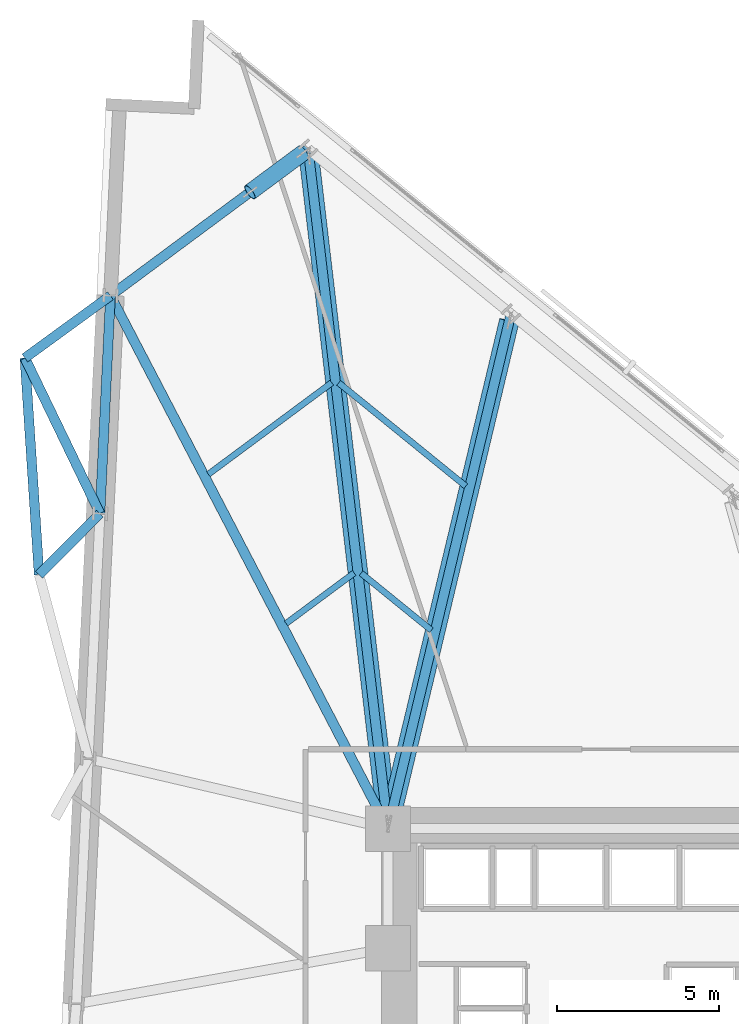
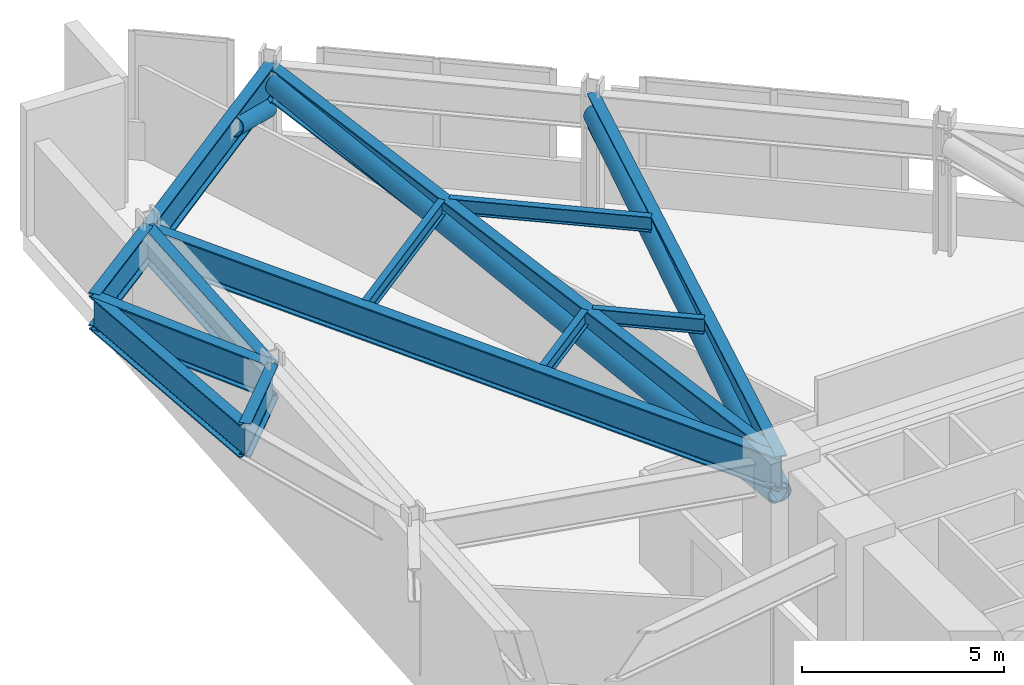
# One storey, part 7 of 18: 13 beams, 3 members.
"""IFC4 building model written with IfcOpenShell, lengths in metres."""

from ifc_helpers import new_model, si_unit, direction, frame, origin, origin_2d, place, context, subcontext, project, spatial, hollow_circle, i_section, extrude, material, material_profile, profile_set, type_object, element, save


model = new_model("IFC4")

# Units and contexts
model_context = context("Model", 3, precision=1e-05, world=origin(), true_north=direction((0.0, 1.0)))
body_context = subcontext(model_context, "Body", "Model", "MODEL_VIEW")
ifc_project = project(units=[si_unit("LENGTHUNIT", "METRE"), si_unit("AREAUNIT", "SQUARE_METRE"), si_unit("VOLUMEUNIT", "CUBIC_METRE"), si_unit("PLANEANGLEUNIT", "RADIAN"), si_unit("MASSUNIT", "GRAM", prefix="KILO")], contexts=[model_context])

# Site, building, storey
site_placement = place(None, origin())
site = spatial("IfcSite", under=ifc_project, at=site_placement, CompositionType="ELEMENT")
building_placement = place(site_placement, origin())
building = spatial("IfcBuilding", under=site, at=building_placement, Name="Narakoshi Arena Tower", CompositionType="ELEMENT")
storey_placement = place(building_placement, frame((0.0, 0.0, 59.10009765625)))
storey = spatial("IfcBuildingStorey", under=building, at=storey_placement, Name="L15", CompositionType="ELEMENT", Elevation=59.10009765625)

# Beams
ifc_material_1 = material(Name="Structural steel S355J2", Category="steel")
ifc_material_profile_1 = material_profile(ifc_material_1, i_section(OverallWidth=0.18994140625, OverallDepth=0.449951171875, WebThickness=0.009521484375, FlangeThickness=0.0146484375, FilletRadius=0.02099609375, at=origin_2d()), Name="IPE450")
ifc_profile_set_1 = profile_set([ifc_material_profile_1], Name="Structural steel S355J2")
beam_type_1 = type_object("IfcBeamType", Name="BM-SEC-450", PredefinedType="JOIST", material=ifc_profile_set_1)
beam_1_placement = place(storey_placement, frame((73.337158203125, 62.624267578125, 3.574951171875), z_axis=(-0.776025888879, 0.630701054216, 0.0), x_axis=(-0.630701054216, -0.776025888879, 0.0)))
element("IfcBeam", 1, at=beam_1_placement, inside=storey, type_object=beam_type_1, Name="L15 Composite Secondary Floor Joist 05", PredefinedType="JOIST", context=body_context, shape_type="SweptSolid", body=[
    extrude(i_section(OverallWidth=0.18994140625, OverallDepth=0.449951171875, WebThickness=0.009521484375, FlangeThickness=0.0146484375, FilletRadius=0.02099609375, at=origin_2d()), origin(), (0.0, 0.0, 1.0), 2.797119140625),
])
beam_2_placement = place(storey_placement, frame((74.3994140625, 67.07421875, 3.574951171875), z_axis=(-0.775998804772, 0.630734377526, 0.0), x_axis=(-0.630734377526, -0.775998804772, 0.0)))
element("IfcBeam", 2, at=beam_2_placement, inside=storey, type_object=beam_type_1, Name="L15 Composite Secondary Floor Joist 06", PredefinedType="JOIST", context=body_context, shape_type="SweptSolid", body=[
    extrude(i_section(OverallWidth=0.18994140625, OverallDepth=0.449951171875, WebThickness=0.009521484375, FlangeThickness=0.0146484375, FilletRadius=0.02099609375, at=origin_2d()), origin(), (0.0, 0.0, 1.0), 5.05712890625),
])
beam_3_placement = place(storey_placement, frame((70.953369140625, 64.393310546875, 3.574951171875), z_axis=(-0.803145542417, -0.595782877981, 0.0), x_axis=(0.595782877981, -0.803145542417, 0.0)))
element("IfcBeam", 3, at=beam_3_placement, inside=storey, type_object=beam_type_1, Name="L15 Composite Secondary Floor Joist 07", PredefinedType="JOIST", context=body_context, shape_type="SweptSolid", body=[
    extrude(i_section(OverallWidth=0.18994140625, OverallDepth=0.449951171875, WebThickness=0.009521484375, FlangeThickness=0.0146484375, FilletRadius=0.02099609375, at=origin_2d()), origin(), (0.0, 0.0, 1.0), 2.6171875),
])
beam_4_placement = place(storey_placement, frame((70.261962890625, 70.2685546875, 3.574951171875), z_axis=(-0.803168713444, -0.595751640992, 0.0), x_axis=(0.595751640992, -0.803168713444, 0.0)))
element("IfcBeam", 4, at=beam_4_placement, inside=storey, type_object=beam_type_1, Name="L15 Composite Secondary Floor Joist 08", PredefinedType="JOIST", context=body_context, shape_type="SweptSolid", body=[
    extrude(i_section(OverallWidth=0.18994140625, OverallDepth=0.449951171875, WebThickness=0.009521484375, FlangeThickness=0.0146484375, FilletRadius=0.02099609375, at=origin_2d()), origin(), (0.0, 0.0, 1.0), 4.74462890625),
])
ifc_material_2 = material(Name="Structural steel S460ML", Category="steel")
ifc_material_profile_2 = material_profile(ifc_material_2, i_section(OverallWidth=0.302001953125, OverallDepth=1.008056640625, WebThickness=0.02099609375, FlangeThickness=0.0400390625, FilletRadius=0.030029296875, at=origin_2d()), Name="HE1000M")
ifc_profile_set_2 = profile_set([ifc_material_profile_2], Name="Structural steel S460ML")
beam_type_2 = type_object("IfcBeamType", Name="BM-XFER-1000", PredefinedType="BEAM", material=ifc_profile_set_2)
beam_5_placement = place(storey_placement, frame((69.531005859375, 77.483154296875, 3.2958984375), z_axis=(-0.80317737809, -0.595739959482, 0.0), x_axis=(0.595739959482, -0.80317737809, 0.0)))
element("IfcBeam", 5, at=beam_5_placement, inside=storey, type_object=beam_type_2, Name="L15 Perimeter Transfer Ring Girder 12", PredefinedType="BEAM", context=body_context, shape_type="SweptSolid", body=[
    extrude(i_section(OverallWidth=0.302001953125, OverallDepth=1.008056640625, WebThickness=0.02099609375, FlangeThickness=0.0400390625, FilletRadius=0.030029296875, at=origin_2d()), origin(), (0.0, 0.0, 1.0), 7.598388671875),
])
beam_6_placement = place(storey_placement, frame((63.42822265625, 72.95654296875, 3.2958984375), z_axis=(-0.047987034988, -0.998847958637, 0.0), x_axis=(0.998847958637, -0.047987034988, 0.0)))
element("IfcBeam", 6, at=beam_6_placement, inside=storey, type_object=beam_type_2, Name="L15 Perimeter Transfer Ring Girder 13", PredefinedType="BEAM", context=body_context, shape_type="SweptSolid", body=[
    extrude(i_section(OverallWidth=0.302001953125, OverallDepth=1.008056640625, WebThickness=0.02099609375, FlangeThickness=0.0400390625, FilletRadius=0.030029296875, at=origin_2d()), origin(), (0.0, 0.0, 1.0), 6.736083984375),
])
beam_7_placement = place(storey_placement, frame((63.42822265625, 72.95654296875, 3.2958984375), z_axis=(-0.808228881532, -0.588868470083, 0.0), x_axis=(0.588868470083, -0.808228881532, 0.0)))
element("IfcBeam", 7, at=beam_7_placement, inside=storey, type_object=beam_type_2, Name="L15 Block-Turn Transfer Node Girder 12-1", PredefinedType="BEAM", context=body_context, shape_type="SweptSolid", body=[
    extrude(i_section(OverallWidth=0.302001953125, OverallDepth=1.008056640625, WebThickness=0.02099609375, FlangeThickness=0.0400390625, FilletRadius=0.030029296875, at=origin_2d()), origin(), (0.0, 0.0, 1.0), 3.269775390625),
])
beam_8_placement = place(storey_placement, frame((63.10498046875, 66.228271484375, 3.2958984375), z_axis=(-0.434903951279, 0.900476847654, 0.0), x_axis=(-0.900476847654, -0.434903951279, 0.0)))
element("IfcBeam", 8, at=beam_8_placement, inside=storey, type_object=beam_type_2, Name="L15 Block-Turn Transfer Node Girder 12-2", PredefinedType="BEAM", context=body_context, shape_type="SweptSolid", body=[
    extrude(i_section(OverallWidth=0.302001953125, OverallDepth=1.008056640625, WebThickness=0.02099609375, FlangeThickness=0.0400390625, FilletRadius=0.030029296875, at=origin_2d()), origin(), (0.0, 0.0, 1.0), 5.33349609375),
])
beam_9_placement = place(storey_placement, frame((63.10498046875, 66.228271484375, 3.2958984375), z_axis=(-0.706327146051, -0.707885557665, 0.0), x_axis=(0.707885557665, -0.706327146051, 0.0)))
element("IfcBeam", 9, at=beam_9_placement, inside=storey, type_object=beam_type_2, Name="L15 Block-Turn Transfer Node Girder 13-1", PredefinedType="BEAM", context=body_context, shape_type="SweptSolid", body=[
    extrude(i_section(OverallWidth=0.302001953125, OverallDepth=1.008056640625, WebThickness=0.02099609375, FlangeThickness=0.0400390625, FilletRadius=0.030029296875, at=origin_2d()), origin(), (0.0, 0.0, 1.0), 2.663330078125),
])
beam_10_placement = place(storey_placement, frame((60.785400390625, 71.031005859375, 3.2958984375), z_axis=(0.065421350693, -0.997857728774, 0.0), x_axis=(0.997857728774, 0.065421350693, 0.0)))
element("IfcBeam", 10, at=beam_10_placement, inside=storey, type_object=beam_type_2, Name="L15 Upper-Block Transfer Ring Girder 12", PredefinedType="BEAM", context=body_context, shape_type="SweptSolid", body=[
    extrude(i_section(OverallWidth=0.302001953125, OverallDepth=1.008056640625, WebThickness=0.02099609375, FlangeThickness=0.0400390625, FilletRadius=0.030029296875, at=origin_2d()), origin(), (0.0, 0.0, 1.0), 6.702392578125),
])
beam_11_placement = place(storey_placement, frame((72.0, 56.5, 3.2958984375), z_axis=(0.23221708245, 0.972663984436, 0.0), x_axis=(-0.972663984436, 0.23221708245, 0.0)))
element("IfcBeam", 11, at=beam_11_placement, inside=storey, type_object=beam_type_2, Name="L15 Radial Primary Floor Girder 11", PredefinedType="BEAM", context=body_context, shape_type="SweptSolid", body=[
    extrude(i_section(OverallWidth=0.302001953125, OverallDepth=1.008056640625, WebThickness=0.02099609375, FlangeThickness=0.0400390625, FilletRadius=0.030029296875, at=origin_2d()), origin(), (0.0, 0.0, 1.0), 16.3388671875),
])
beam_12_placement = place(storey_placement, frame((72.0, 56.5, 3.2958984375), z_axis=(-0.11685934963, 0.993148474501, 0.0), x_axis=(-0.993148474501, -0.11685934963, 0.0)))
element("IfcBeam", 12, at=beam_12_placement, inside=storey, type_object=beam_type_2, Name="L15 Radial Primary Floor Girder 12", PredefinedType="BEAM", context=body_context, shape_type="SweptSolid", body=[
    extrude(i_section(OverallWidth=0.302001953125, OverallDepth=1.008056640625, WebThickness=0.02099609375, FlangeThickness=0.0400390625, FilletRadius=0.030029296875, at=origin_2d()), origin(), (0.0, 0.0, 1.0), 21.1279296875),
])
beam_13_placement = place(storey_placement, frame((72.0, 56.5, 3.2958984375), z_axis=(-0.461962449766, 0.886899484162, 0.0), x_axis=(-0.886899484162, -0.461962449766, 0.0)))
element("IfcBeam", 13, at=beam_13_placement, inside=storey, type_object=beam_type_2, Name="L15 Radial Primary Floor Girder 13", PredefinedType="BEAM", context=body_context, shape_type="SweptSolid", body=[
    extrude(i_section(OverallWidth=0.302001953125, OverallDepth=1.008056640625, WebThickness=0.02099609375, FlangeThickness=0.0400390625, FilletRadius=0.030029296875, at=origin_2d()), origin(), (0.0, 0.0, 1.0), 18.55517578125),
])

# Members
ifc_material_profile_3 = material_profile(ifc_material_2, hollow_circle(Radius=0.25390625, WallThickness=0.02001953125, at=origin_2d()), Name="CHS508x20")
ifc_profile_set_3 = profile_set([ifc_material_profile_3], Name="Structural steel S460ML")
member_type_1 = type_object("IfcMemberType", Name="MEM-BLT-508", PredefinedType="BRACE", material=ifc_profile_set_3)
member_1_placement = place(storey_placement, frame((69.386474609375, 77.3759765625, 2.5498046875), z_axis=(-0.755008609852, -0.560063288922, 0.341014825851), x_axis=(0.595775301077, -0.803151162999, 0.0)))
element("IfcMember", 14, at=member_1_placement, inside=storey, type_object=member_type_1, Name="L15 Perimeter Belt-Truss Diagonal 11", PredefinedType="BRACE", context=body_context, shape_type="SweptSolid", body=[
    extrude(hollow_circle(Radius=0.25390625, WallThickness=0.02001953125, at=origin_2d()), origin(), (0.0, 0.0, 1.0), 2.187744140625),
])
ifc_material_profile_4 = material_profile(ifc_material_2, hollow_circle(Radius=0.304931640625, WallThickness=0.02490234375, at=origin_2d()), Name="CHS610x25")
ifc_profile_set_4 = profile_set([ifc_material_profile_4], Name="Structural steel S460ML")
member_type_2 = type_object("IfcMemberType", Name="MEM-OUT-610", PredefinedType="BRACE", material=ifc_profile_set_4)
member_2_placement = place(storey_placement, frame((72.034912109375, 56.64599609375, 2.599853515625), z_axis=(0.231995474151, 0.971741659161, 0.043545927764), x_axis=(-0.972664303043, 0.232215747928, 0.0)))
element("IfcMember", 15, at=member_2_placement, inside=storey, type_object=member_type_2, Name="L15 Core-to-Perimeter Outrigger Truss Diagonal 04", PredefinedType="BRACE", context=body_context, shape_type="SweptSolid", body=[
    extrude(hollow_circle(Radius=0.304931640625, WallThickness=0.02490234375, at=origin_2d()), origin(), (0.0, 0.0, 1.0), 15.984130859375),
])
member_3_placement = place(storey_placement, frame((71.982421875, 56.64892578125, 2.599853515625), z_axis=(-0.116794713405, 0.99259049812, 0.033512653776), x_axis=(-0.993148356244, -0.116860354653, 0.0)))
element("IfcMember", 16, at=member_3_placement, inside=storey, type_object=member_type_2, Name="L15 Core-to-Perimeter Outrigger Truss Diagonal 05", PredefinedType="BRACE", context=body_context, shape_type="SweptSolid", body=[
    extrude(hollow_circle(Radius=0.304931640625, WallThickness=0.02490234375, at=origin_2d()), origin(), (0.0, 0.0, 1.0), 20.76953125),
])

save(model, "model.ifc")
